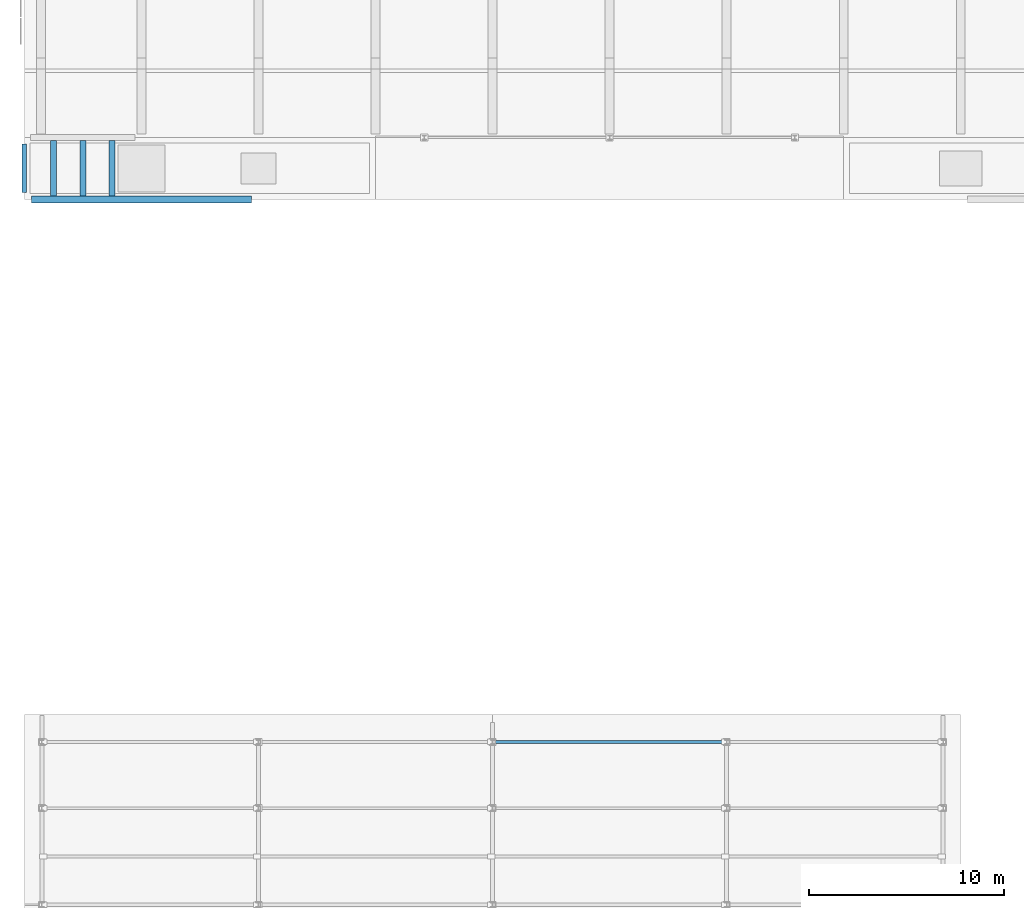
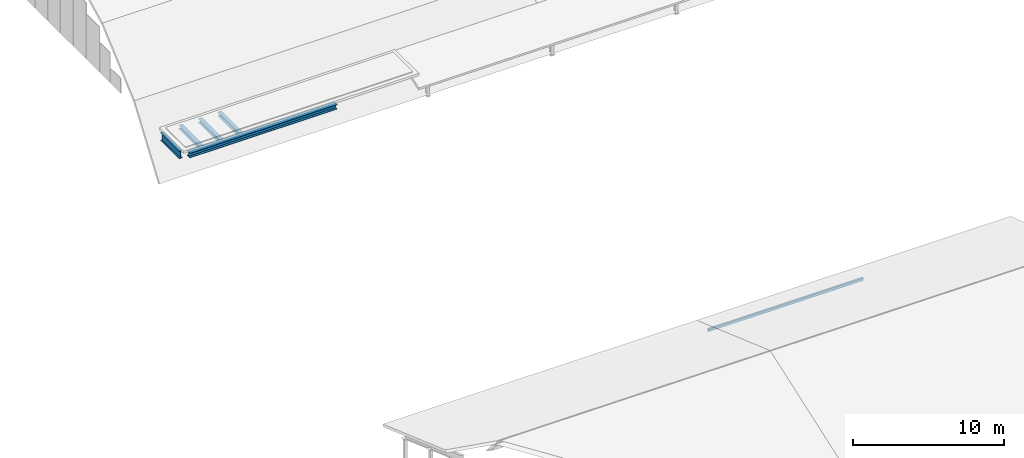
# One storey, part 12 of 42: 5 beams, 1 member.
"""IFC4 building model written with IfcOpenShell, lengths in metres."""

from ifc_helpers import new_model, si_unit, direction, frame, origin, origin_2d, place, context, subcontext, project, spatial, hollow_rectangle, i_section, extrude, material, material_profile, profile_set, type_object, element, save


model = new_model("IFC4")

# Units and contexts
model_context = context("Model", 3, precision=1e-05, world=origin(), true_north=direction((0.0, 1.0)))
body_context = subcontext(model_context, "Body", "Model", "MODEL_VIEW")
ifc_project = project(units=[si_unit("LENGTHUNIT", "METRE"), si_unit("AREAUNIT", "SQUARE_METRE"), si_unit("VOLUMEUNIT", "CUBIC_METRE"), si_unit("PLANEANGLEUNIT", "RADIAN"), si_unit("MASSUNIT", "GRAM", prefix="KILO")], contexts=[model_context])

# Site, building, storey
site_placement = place(None, origin())
site = spatial("IfcSite", under=ifc_project, at=site_placement, CompositionType="ELEMENT")
building_placement = place(site_placement, origin())
building = spatial("IfcBuilding", under=site, at=building_placement, Name="Kelmvaro Bay Concert Hall", CompositionType="ELEMENT")
storey_placement = place(building_placement, frame((0.0, 0.0, 26.699951171875)))
storey = spatial("IfcBuildingStorey", under=building, at=storey_placement, Name="RF", CompositionType="ELEMENT", Elevation=26.699951171875)

# Beam
ifc_material_1 = material(Name="Steel ASTM A992 Grade 50", Category="steel")
ifc_material_profile_1 = material_profile(ifc_material_1, i_section(OverallWidth=0.373046875, OverallDepth=0.373046875, WebThickness=0.016357421875, FlangeThickness=0.026123046875, at=origin_2d()), Name="W14X132")
ifc_profile_set_1 = profile_set([ifc_material_profile_1], Name="Steel ASTM A992 Grade 50")
beam_type_1 = type_object("IfcBeamType", Name="Crown Roof Frame Beam W14x132", PredefinedType="BEAM", material=ifc_profile_set_1)
beam_1_placement = place(storey_placement, frame((0.375, 65.39990234375, -0.31640625), z_axis=(1.0, 0.0, 0.0), x_axis=(0.0, 1.0, 0.0)))
element("IfcBeam", 1, at=beam_1_placement, inside=storey, type_object=beam_type_1, Name="RF Girder BM-RF-EW-1969", PredefinedType="BEAM", context=body_context, shape_type="SweptSolid", body=[
    extrude(i_section(OverallWidth=0.373046875, OverallDepth=0.373046875, WebThickness=0.016357421875, FlangeThickness=0.026123046875, at=origin_2d()), origin(), (0.0, 0.0, 1.0), 11.27490234375),
])

# Member
ifc_material_2 = material(Name="Steel ASTM A500 Grade C", Category="steel")
ifc_material_profile_2 = material_profile(ifc_material_2, hollow_rectangle(XDim=0.139892578125, YDim=0.219970703125, WallThickness=0.010009765625, at=origin_2d()), Name="HSS220X140X10")
ifc_profile_set_2 = profile_set([ifc_material_profile_2], Name="Steel ASTM A500 Grade C")
member_type = type_object("IfcMemberType", Name="Crystal Roof Eave Purlin HSS220x140x10", PredefinedType="PURLIN", material=ifc_profile_set_2)
member_placement = place(storey_placement, frame((24.0849609375, 37.60009765625, -5.965576171875), z_axis=(1.0, 0.0, 0.0), x_axis=(0.0, 1.0, 0.0)))
element("IfcMember", 2, at=member_placement, inside=storey, type_object=member_type, Name="V3 Crystal Roof Purlin 031", PredefinedType="PURLIN", context=body_context, shape_type="SweptSolid", body=[
    extrude(hollow_rectangle(XDim=0.139892578125, YDim=0.219970703125, WallThickness=0.010009765625, at=origin_2d()), origin(), (0.0, 0.0, 1.0), 11.830078125),
])

# Beams
ifc_material_3 = material(Name="Steel ASTM A992 Grade 50", Category="steel")
ifc_material_profile_3 = material_profile(ifc_material_3, i_section(OverallWidth=0.304931640625, OverallDepth=0.306884765625, WebThickness=0.010009765625, FlangeThickness=0.015380859375, at=origin_2d()), Name="W12X65")
ifc_profile_set_3 = profile_set([ifc_material_profile_3], Name="Steel ASTM A992 Grade 50")
beam_type_2 = type_object("IfcBeamType", Name="Flat Roof Deck Joist W12x65", PredefinedType="JOIST", material=ifc_profile_set_3)
for number, where, z_axis, x_axis, name in (
    (3, (1.5, 65.58642578125, -0.283447265625), (0.0, 1.0, 0.0), (-1.0, 0.0, 0.0), "RF Floor Joist JST-RF-1981"),
    (4, (3.0, 65.58642578125, -0.283447265625), (0.0, 1.0, 0.0), (-1.0, 0.0, 0.0), "RF Floor Joist JST-RF-1982"),
    (5, (4.5, 65.58642578125, -0.283447265625), (0.0, 1.0, 0.0), (-1.0, 0.0, 0.0), "RF Floor Joist JST-RF-1983"),
):
    element("IfcBeam", number, at=place(storey_placement, frame(where, z_axis=z_axis, x_axis=x_axis)), inside=storey, type_object=beam_type_2, Name=name, PredefinedType="JOIST", context=body_context, shape_type="SweptSolid", body=[
        extrude(i_section(OverallWidth=0.304931640625, OverallDepth=0.306884765625, WebThickness=0.010009765625, FlangeThickness=0.015380859375, at=origin_2d()), origin(), (0.0, 0.0, 1.0), 2.840087890625),
    ])
ifc_material_4 = material(Name="Steel ASTM A992 Grade 50", Category="steel")
ifc_material_profile_4 = material_profile(ifc_material_4, i_section(OverallWidth=0.22900390625, OverallDepth=0.612060546875, WebThickness=0.011962890625, FlangeThickness=0.01953125, at=origin_2d()), Name="W24X84")
ifc_profile_set_4 = profile_set([ifc_material_profile_4], Name="Steel ASTM A992 Grade 50")
beam_type_3 = type_object("IfcBeamType", Name="Terrace Edge Girder W24x84", PredefinedType="BEAM", material=ifc_profile_set_4)
beam_2_placement = place(storey_placement, frame((0.0, 65.77490234375, -0.43603515625), z_axis=(0.0, 1.0, 0.0), x_axis=(-1.0, 0.0, 0.0)))
element("IfcBeam", 6, at=beam_2_placement, inside=storey, type_object=beam_type_3, Name="RF Girder BM-RF-NS-1977", PredefinedType="BEAM", context=body_context, shape_type="SweptSolid", body=[
    extrude(i_section(OverallWidth=0.22900390625, OverallDepth=0.612060546875, WebThickness=0.011962890625, FlangeThickness=0.01953125, at=origin_2d()), origin(), (0.0, 0.0, 1.0), 2.47998046875),
])

save(model, "model.ifc")
